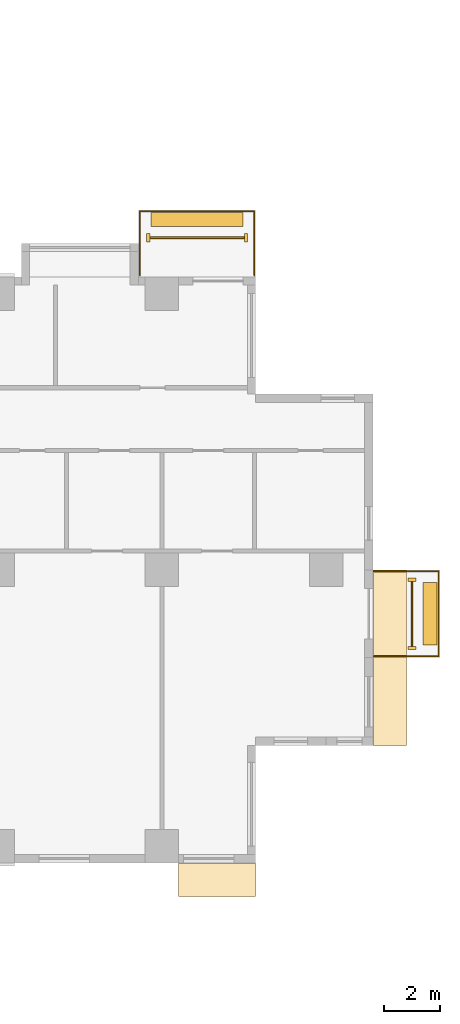
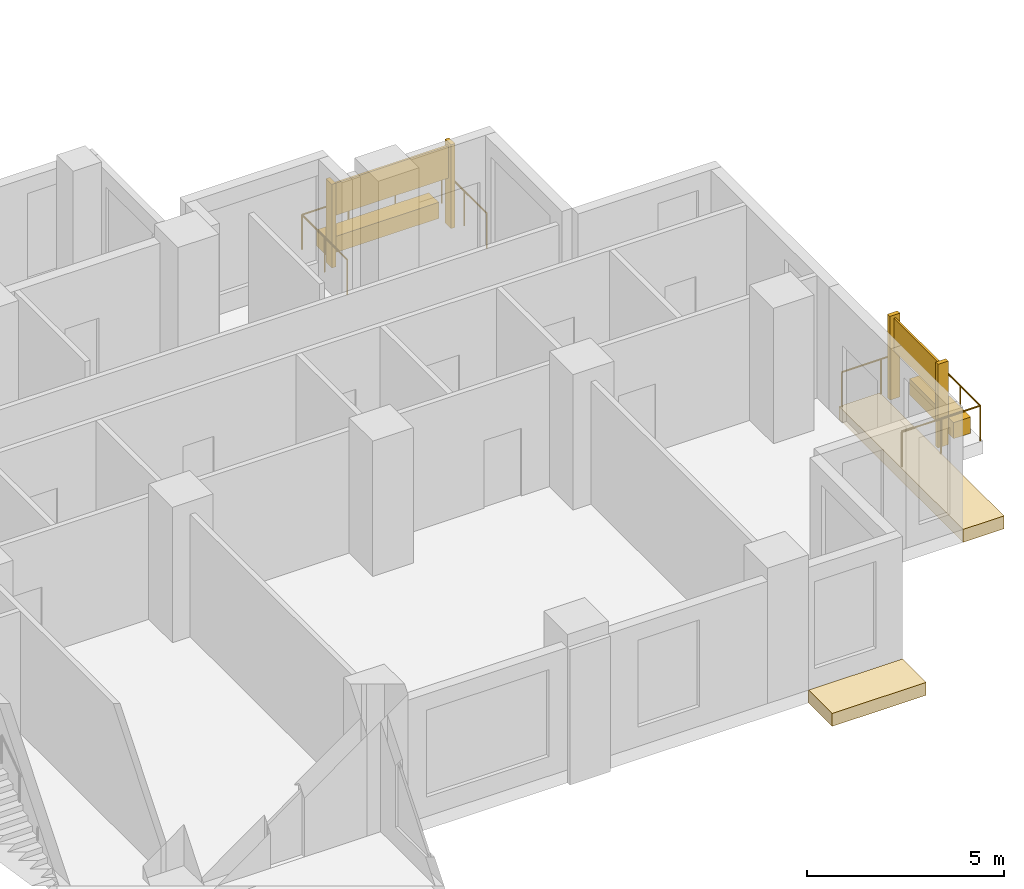
# One storey, part 15 of 15: 10 coverings, 2 railings.
"""IFC4 building model written with IfcOpenShell, lengths in metres."""

from ifc_helpers import new_model, si_unit, direction, frame, origin, origin_2d, place, context, subcontext, project, spatial, polyline, rectangle, circle, outline, extrude, source, transform, mapped, material, type_object, element, save


model = new_model("IFC4")

# Units and contexts
model_context = context("Model", 3, precision=1e-05, world=origin(), true_north=direction((0.0, 1.0)))
body_context = subcontext(model_context, "Body", "Model", "MODEL_VIEW")
ifc_project = project(units=[si_unit("LENGTHUNIT", "METRE"), si_unit("AREAUNIT", "SQUARE_METRE"), si_unit("VOLUMEUNIT", "CUBIC_METRE"), si_unit("PLANEANGLEUNIT", "RADIAN"), si_unit("MASSUNIT", "GRAM", prefix="KILO")], contexts=[model_context])

# Site, building, storey
site_placement = place(None, origin())
site = spatial("IfcSite", under=ifc_project, at=site_placement, CompositionType="ELEMENT")
building_placement = place(site_placement, origin())
building = spatial("IfcBuilding", under=site, at=building_placement, Name="Aurelian Terraces", CompositionType="ELEMENT")
storey_placement = place(building_placement, frame((0.0, 0.0, 61.5)))
storey = spatial("IfcBuildingStorey", under=building, at=storey_placement, Name="L12", CompositionType="ELEMENT", Elevation=61.5)

# Coverings
ifc_material_1 = material(Name="Terracotta roof tiles on membrane", Category="masonry")
covering_type_1 = type_object("IfcCoveringType", Name="Bay roof cover", PredefinedType="ROOFING", material=ifc_material_1)
covering_1_placement = place(storey_placement, frame((0.0, 0.0, -0.4)))
element("IfcCovering", 1, at=covering_1_placement, inside=storey, type_object=covering_type_1, Name="Bay roof L12 64.44_-1.20_67.20_0.00", PredefinedType="ROOFING", context=body_context, shape_type="SweptSolid", body=[
    extrude(outline(polyline([(67.2, 0.0), (67.2, -1.2), (64.44, -1.2), (64.44, 0.0), (67.2, 0.0)])), origin(), (0.0, 0.0, 1.0), 0.4),
])
covering_2_placement = place(storey_placement, frame((0.0, 0.0, -0.4)))
element("IfcCovering", 2, at=covering_2_placement, inside=storey, type_object=covering_type_1, Name="Bay roof L12 71.40_4.20_72.60_10.50", PredefinedType="ROOFING", context=body_context, shape_type="SweptSolid", body=[
    extrude(outline(polyline([(71.4, 10.5), (72.6, 10.5), (72.6, 4.2), (71.4, 4.2), (71.4, 10.5)])), origin(), (0.0, 0.0, 1.0), 0.4),
])
ifc_material_2 = material(Name="Terracotta rainscreen cladding relief", Category="masonry")
covering_type_2 = type_object("IfcCoveringType", Name="FIN-TC", PredefinedType="CLADDING", material=ifc_material_2)
shared_shape_1 = source(origin(), body_context, "Body", "SweptSolid", [
    extrude(rectangle(XDim=0.3, YDim=0.12, at=origin_2d()), origin(), (0.0, 0.0, 1.0), 2.6),
])
for number, where, z_axis, x_axis, name in (
    (3, (72.8, 7.7, 0.0), (0.0, 0.0, 1.0), (1.0, 0.0, 0.0), "FIN L12 L12-F04-16.1"),
    (4, (72.8, 10.15, 0.0), (0.0, 0.0, 1.0), (1.0, 0.0, 0.0), "FIN L12 L12-F04-16.2"),
):
    element("IfcCovering", number, at=place(storey_placement, frame(where, z_axis=z_axis, x_axis=x_axis)), inside=storey, type_object=covering_type_2, Name=name, PredefinedType="CLADDING", context=body_context, shape_type="MappedRepresentation", body=[
        mapped(shared_shape_1, transform((0.0, 0.0, 0.0), scale=1.0)),
    ])
shared_shape_2 = source(origin(), body_context, "Body", "SweptSolid", [
    extrude(rectangle(XDim=0.12, YDim=0.3, at=origin_2d()), origin(), (0.0, 0.0, 1.0), 2.6),
])
for number, where, z_axis, x_axis, name in (
    (5, (66.85, 22.4, 0.0), (0.0, 0.0, 1.0), (1.0, 0.0, 0.0), "FIN L12 L12-F07-20.1"),
    (6, (63.35, 22.4, 0.0), (0.0, 0.0, 1.0), (1.0, 0.0, 0.0), "FIN L12 L12-F07-20.2"),
):
    element("IfcCovering", number, at=place(storey_placement, frame(where, z_axis=z_axis, x_axis=x_axis)), inside=storey, type_object=covering_type_2, Name=name, PredefinedType="CLADDING", context=body_context, shape_type="MappedRepresentation", body=[
        mapped(shared_shape_2, transform((0.0, 0.0, 0.0), scale=1.0)),
    ])

# Railing
ifc_material_3 = material(Name="Anodised aluminium", Category="aluminium")
railing_type = type_object("IfcRailingType", Name="GUARD-1100", PredefinedType="GUARDRAIL", material=ifc_material_3)
shared_shape_3 = source(origin(), body_context, "Body", "SweptSolid", [
    extrude(circle(Radius=0.024, at=origin_2d()), frame((0.0, 0.0, 1.076), z_axis=(1.0, 0.0, 0.0), x_axis=(0.0, 1.0, 0.0)), (0.0, 0.0, 1.0), 2.3),
    extrude(circle(Radius=0.024, at=origin_2d()), frame((2.3, 0.0, 1.076), z_axis=(0.0, 1.0, 0.0), x_axis=(-1.0, 0.0, 0.0)), (0.0, 0.0, 1.0), 3.05),
    extrude(circle(Radius=0.024, at=origin_2d()), frame((2.3, 3.05, 1.076), z_axis=(-1.0, 0.0, 0.0), x_axis=(0.0, -1.0, 0.0)), (0.0, 0.0, 1.0), 2.3),
    extrude(circle(Radius=0.021, at=origin_2d()), origin(), (0.0, 0.0, 1.0), 1.052),
    extrude(circle(Radius=0.021, at=origin_2d()), frame((1.15, 0.0, 0.0)), (0.0, 0.0, 1.0), 1.052),
    extrude(circle(Radius=0.021, at=origin_2d()), frame((2.3, 0.0, 0.0)), (0.0, 0.0, 1.0), 1.052),
    extrude(circle(Radius=0.021, at=origin_2d()), frame((2.3, 1.0167, 0.0)), (0.0, 0.0, 1.0), 1.052),
    extrude(circle(Radius=0.021, at=origin_2d()), frame((2.3, 2.0333, 0.0)), (0.0, 0.0, 1.0), 1.052),
    extrude(circle(Radius=0.021, at=origin_2d()), frame((2.3, 3.05, 0.0)), (0.0, 0.0, 1.0), 1.052),
    extrude(circle(Radius=0.021, at=origin_2d()), frame((1.15, 3.05, 0.0)), (0.0, 0.0, 1.0), 1.052),
    extrude(circle(Radius=0.021, at=origin_2d()), frame((0.0, 3.05, 0.0)), (0.0, 0.0, 1.0), 1.052),
])
railing_1_placement = place(storey_placement, frame((71.45, 7.4, 0.0)))
element("IfcRailing", 7, at=railing_1_placement, inside=storey, type_object=railing_type, Name="Balcony guard L12 F04.16", PredefinedType="GUARDRAIL", context=body_context, shape_type="MappedRepresentation", body=[
    mapped(shared_shape_3, transform((0.0, 0.0, 0.0), scale=1.0)),
])

# Coverings
ifc_material_4 = material(Name="Terracotta planter with planting soil", Category="masonry")
covering_type_3 = type_object("IfcCoveringType", Name="PLANTER-TROUGH", PredefinedType="USERDEFINED", material=ifc_material_4)
shared_shape_4 = source(origin(), body_context, "Body", "SweptSolid", [
    extrude(rectangle(XDim=0.5, YDim=2.25, at=origin_2d()), origin(), (0.0, 0.0, 1.0), 0.5),
])
covering_3_placement = place(storey_placement, frame((73.45, 8.925, 0.0), z_axis=(0.0, 0.0, 1.0), x_axis=(1.0, 0.0, 0.0)))
element("IfcCovering", 8, at=covering_3_placement, inside=storey, type_object=covering_type_3, Name="PLANTER L12 L12-F04-16", ObjectType="PLANTER", PredefinedType="USERDEFINED", context=body_context, shape_type="MappedRepresentation", body=[
    mapped(shared_shape_4, transform((0.0, 0.0, 0.0), scale=1.0)),
])
ifc_material_5 = material(Name="Terracotta rainscreen cladding", Category="masonry")
covering_type_4 = type_object("IfcCoveringType", Name="SCREEN-TC", PredefinedType="CLADDING", material=ifc_material_5)
shared_shape_5 = source(origin(), body_context, "Body", "SweptSolid", [
    extrude(rectangle(XDim=0.06, YDim=2.33, at=origin_2d()), origin(), (0.0, 0.0, 1.0), 1.0),
])
covering_4_placement = place(storey_placement, frame((72.8, 8.925, 1.5), z_axis=(0.0, 0.0, 1.0), x_axis=(1.0, 0.0, 0.0)))
element("IfcCovering", 9, at=covering_4_placement, inside=storey, type_object=covering_type_4, Name="SCREEN L12 L12-F04-16", PredefinedType="CLADDING", context=body_context, shape_type="MappedRepresentation", body=[
    mapped(shared_shape_5, transform((0.0, 0.0, 0.0), scale=1.0)),
])

# Railing
shared_shape_6 = source(origin(), body_context, "Body", "SweptSolid", [
    extrude(circle(Radius=0.024, at=origin_2d()), frame((0.0, 0.0, 1.076), z_axis=(0.0, 1.0, 0.0), x_axis=(-1.0, 0.0, 0.0)), (0.0, 0.0, 1.0), 2.3),
    extrude(circle(Radius=0.024, at=origin_2d()), frame((0.0, 2.3, 1.076), z_axis=(-1.0, 0.0, 0.0), x_axis=(0.0, -1.0, 0.0)), (0.0, 0.0, 1.0), 4.1),
    extrude(circle(Radius=0.024, at=origin_2d()), frame((-4.1, 2.3, 1.076), z_axis=(0.0, -1.0, 0.0), x_axis=(1.0, 0.0, 0.0)), (0.0, 0.0, 1.0), 2.3),
    extrude(circle(Radius=0.021, at=origin_2d()), origin(), (0.0, 0.0, 1.0), 1.052),
    extrude(circle(Radius=0.021, at=origin_2d()), frame((0.0, 1.15, 0.0)), (0.0, 0.0, 1.0), 1.052),
    extrude(circle(Radius=0.021, at=origin_2d()), frame((0.0, 2.3, 0.0)), (0.0, 0.0, 1.0), 1.052),
    extrude(circle(Radius=0.021, at=origin_2d()), frame((-1.3667, 2.3, 0.0)), (0.0, 0.0, 1.0), 1.052),
    extrude(circle(Radius=0.021, at=origin_2d()), frame((-2.7333, 2.3, 0.0)), (0.0, 0.0, 1.0), 1.052),
    extrude(circle(Radius=0.021, at=origin_2d()), frame((-4.1, 2.3, 0.0)), (0.0, 0.0, 1.0), 1.052),
    extrude(circle(Radius=0.021, at=origin_2d()), frame((-4.1, 1.15, 0.0)), (0.0, 0.0, 1.0), 1.052),
    extrude(circle(Radius=0.021, at=origin_2d()), frame((-4.1, 0.0, 0.0)), (0.0, 0.0, 1.0), 1.052),
])
railing_2_placement = place(storey_placement, frame((67.15, 21.05, 0.0)))
element("IfcRailing", 10, at=railing_2_placement, inside=storey, type_object=railing_type, Name="Balcony guard L12 F07.20", PredefinedType="GUARDRAIL", context=body_context, shape_type="MappedRepresentation", body=[
    mapped(shared_shape_6, transform((0.0, 0.0, 0.0), scale=1.0)),
])

# Coverings
shared_shape_7 = source(origin(), body_context, "Body", "SweptSolid", [
    extrude(rectangle(XDim=3.3, YDim=0.5, at=origin_2d()), origin(), (0.0, 0.0, 1.0), 0.5),
])
covering_5_placement = place(storey_placement, frame((65.1, 23.05, 0.0), z_axis=(0.0, 0.0, 1.0), x_axis=(1.0, 0.0, 0.0)))
element("IfcCovering", 11, at=covering_5_placement, inside=storey, type_object=covering_type_3, Name="PLANTER L12 L12-F07-20", ObjectType="PLANTER", PredefinedType="USERDEFINED", context=body_context, shape_type="MappedRepresentation", body=[
    mapped(shared_shape_7, transform((0.0, 0.0, 0.0), scale=1.0)),
])
shared_shape_8 = source(origin(), body_context, "Body", "SweptSolid", [
    extrude(rectangle(XDim=3.38, YDim=0.06, at=origin_2d()), origin(), (0.0, 0.0, 1.0), 1.0),
])
covering_6_placement = place(storey_placement, frame((65.1, 22.4, 1.5), z_axis=(0.0, 0.0, 1.0), x_axis=(1.0, 0.0, 0.0)))
element("IfcCovering", 12, at=covering_6_placement, inside=storey, type_object=covering_type_4, Name="SCREEN L12 L12-F07-20", PredefinedType="CLADDING", context=body_context, shape_type="MappedRepresentation", body=[
    mapped(shared_shape_8, transform((0.0, 0.0, 0.0), scale=1.0)),
])

save(model, "model.ifc")
